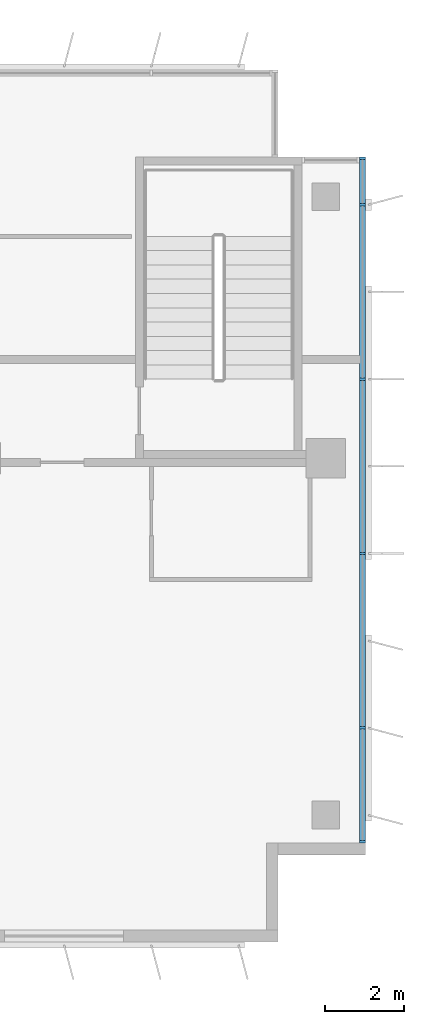
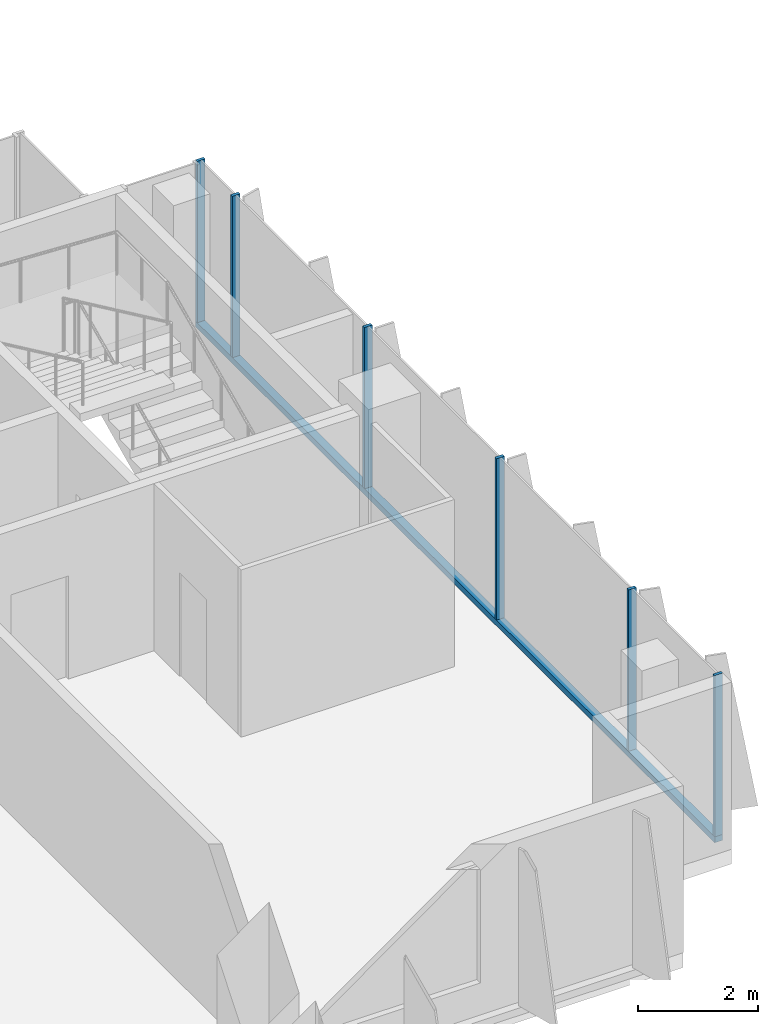
# One storey, part 8 of 20: 7 members, 1 element without a shape of its own.
"""IFC4 building model written with IfcOpenShell, lengths in metres."""

from ifc_helpers import new_model, si_unit, direction, frame, origin, origin_2d, place, context, subcontext, project, spatial, rectangle, extrude, source, transform, mapped, material, material_profile, profile_set, type_object, element, aggregate, save


model = new_model("IFC4")

# Units and contexts
model_context = context("Model", 3, precision=1e-05, world=origin(), true_north=direction((0.0, 1.0)))
body_context = subcontext(model_context, "Body", "Model", "MODEL_VIEW")
ifc_project = project(units=[si_unit("LENGTHUNIT", "METRE"), si_unit("AREAUNIT", "SQUARE_METRE"), si_unit("VOLUMEUNIT", "CUBIC_METRE"), si_unit("PLANEANGLEUNIT", "RADIAN"), si_unit("MASSUNIT", "GRAM", prefix="KILO")], contexts=[model_context])

# Site, building, storey
site_placement = place(None, origin())
site = spatial("IfcSite", under=ifc_project, at=site_placement, CompositionType="ELEMENT")
building_placement = place(site_placement, origin())
building = spatial("IfcBuilding", under=site, at=building_placement, Name="Kemantara Hotel Tower", CompositionType="ELEMENT")
storey_placement = place(building_placement, frame((0.0, 0.0, 186.39990234375)))
storey = spatial("IfcBuildingStorey", under=building, at=storey_placement, Name="L46", CompositionType="ELEMENT", Elevation=186.39990234375)

# Curtain wall, members
ifc_material_1 = material(Name="Low-E tinted double insulated glass 36 mm", Category="glass")
curtain_wall_type = type_object("IfcCurtainWallType", Name="TOWER CURTAIN WALL, FRONT FACES", PredefinedType="USERDEFINED", material=ifc_material_1)
curtain_wall_placement = place(storey_placement, origin())
curtain_wall = element("IfcCurtainWall", 1, at=curtain_wall_placement, inside=storey, type_object=curtain_wall_type, Name="CW4 L46 T3-R11-1", ObjectType="TOWER CURTAIN WALL, FRONT FACES", PredefinedType="USERDEFINED")
ifc_material_2 = material(Name="Aluminium 6063-T6 bronze anodised", Category="aluminium")
ifc_material_profile_1 = material_profile(ifc_material_2, rectangle(XDim=0.14990234375, YDim=0.1201171875, at=origin_2d()), Name="TOWER CURTAIN WALL, FRONT FACES TRANSOM")
ifc_profile_set_1 = profile_set([ifc_material_profile_1], Name="Aluminium 6063-T6 bronze anodised")
member_type_1 = type_object("IfcMemberType", Name="TOWER CURTAIN WALL, FRONT FACES TRANSOM", PredefinedType="USERDEFINED", material=ifc_profile_set_1)
member_1_placement = place(storey_placement, frame((63.52490234375, 2.5, 0.06005859375), z_axis=(0.0, 1.0, 0.0), x_axis=(-1.0, 0.0, 0.0)))
member_1 = element("IfcMember", 2, at=member_1_placement, type_object=member_type_1, Name="CW4 sill transom T3-R11-1", ObjectType="TRANSOM", PredefinedType="USERDEFINED", context=body_context, shape_type="SweptSolid", body=[
    extrude(rectangle(XDim=0.14990234375, YDim=0.1201171875, at=origin_2d()), origin(), (0.0, 0.0, 1.0), 17.300048828125),
])
ifc_material_profile_2 = material_profile(ifc_material_2, rectangle(XDim=0.14990234375, YDim=0.06005859375, at=origin_2d()), Name="TOWER CURTAIN WALL, FRONT FACES MULLION")
ifc_profile_set_2 = profile_set([ifc_material_profile_2], Name="Aluminium 6063-T6 bronze anodised")
member_type_2 = type_object("IfcMemberType", Name="TOWER CURTAIN WALL, FRONT FACES MULLION", PredefinedType="MULLION", material=ifc_profile_set_2)
shared_shape = source(origin(), body_context, "Body", "SweptSolid", [
    extrude(rectangle(XDim=0.14990234375, YDim=0.06005859375, at=origin_2d()), origin(), (0.0, 0.0, 1.0), 3.280029296875),
])
member_2_placement = place(storey_placement, frame((63.52490234375, 2.530029296875, 0.1201171875), z_axis=(0.0, 0.0, 1.0), x_axis=(-1.0, 0.0, 0.0)))
member_2 = element("IfcMember", 3, at=member_2_placement, type_object=member_type_2, Name="CW4 mullion T3-R11-1.1", PredefinedType="MULLION", context=body_context, shape_type="MappedRepresentation", body=[
    mapped(shared_shape, transform((0.0, 0.0, 0.0))),
])
member_3_placement = place(storey_placement, frame((63.52490234375, 5.39990234375, 0.1201171875), z_axis=(0.0, 0.0, 1.0), x_axis=(-1.0, 0.0, 0.0)))
member_3 = element("IfcMember", 4, at=member_3_placement, type_object=member_type_2, Name="CW4 mullion T3-R11-1.2", PredefinedType="MULLION", context=body_context, shape_type="MappedRepresentation", body=[
    mapped(shared_shape, transform((0.0, 0.0, 0.0))),
])
member_4_placement = place(storey_placement, frame((63.52490234375, 9.800048828125, 0.1201171875), z_axis=(0.0, 0.0, 1.0), x_axis=(-1.0, 0.0, 0.0)))
member_4 = element("IfcMember", 5, at=member_4_placement, type_object=member_type_2, Name="CW4 mullion T3-R11-1.3", PredefinedType="MULLION", context=body_context, shape_type="MappedRepresentation", body=[
    mapped(shared_shape, transform((0.0, 0.0, 0.0))),
])
member_5_placement = place(storey_placement, frame((63.52490234375, 14.199951171875, 0.1201171875), z_axis=(0.0, 0.0, 1.0), x_axis=(-1.0, 0.0, 0.0)))
member_5 = element("IfcMember", 6, at=member_5_placement, type_object=member_type_2, Name="CW4 mullion T3-R11-1.4", PredefinedType="MULLION", context=body_context, shape_type="MappedRepresentation", body=[
    mapped(shared_shape, transform((0.0, 0.0, 0.0))),
])
member_6_placement = place(storey_placement, frame((63.52490234375, 18.60009765625, 0.1201171875), z_axis=(0.0, 0.0, 1.0), x_axis=(-1.0, 0.0, 0.0)))
member_6 = element("IfcMember", 7, at=member_6_placement, type_object=member_type_2, Name="CW4 mullion T3-R11-1.5", PredefinedType="MULLION", context=body_context, shape_type="MappedRepresentation", body=[
    mapped(shared_shape, transform((0.0, 0.0, 0.0))),
])
member_7_placement = place(storey_placement, frame((63.52490234375, 19.77001953125, 0.1201171875), z_axis=(0.0, 0.0, 1.0), x_axis=(-1.0, 0.0, 0.0)))
member_7 = element("IfcMember", 8, at=member_7_placement, type_object=member_type_2, Name="CW4 mullion T3-R11-1.6", PredefinedType="MULLION", context=body_context, shape_type="MappedRepresentation", body=[
    mapped(shared_shape, transform((0.0, 0.0, 0.0))),
])
aggregate(curtain_wall, [member_1, member_2, member_3, member_4, member_5, member_6, member_7])

save(model, "model.ifc")
